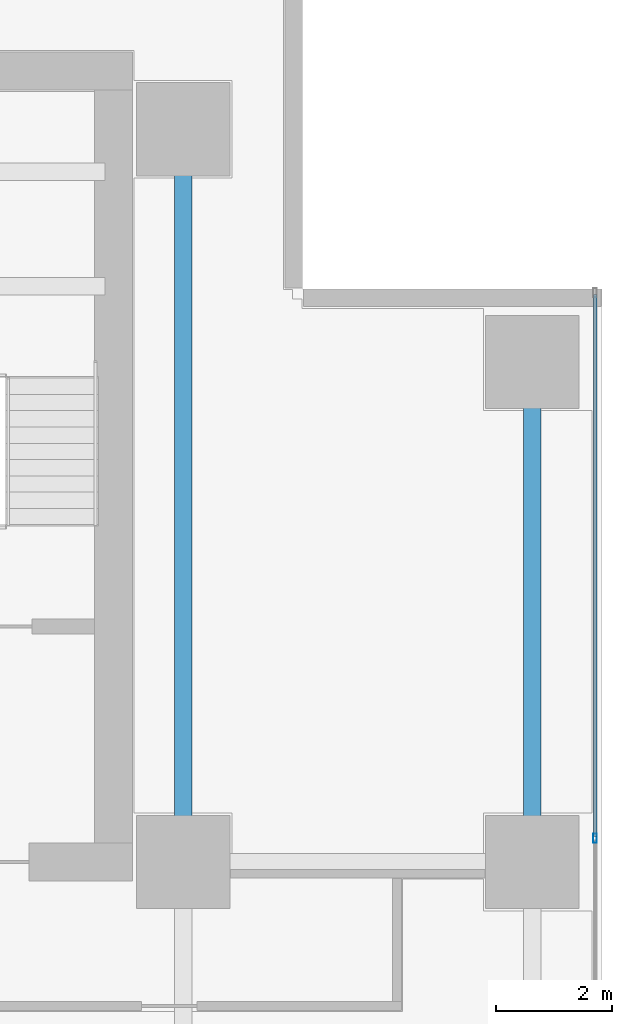
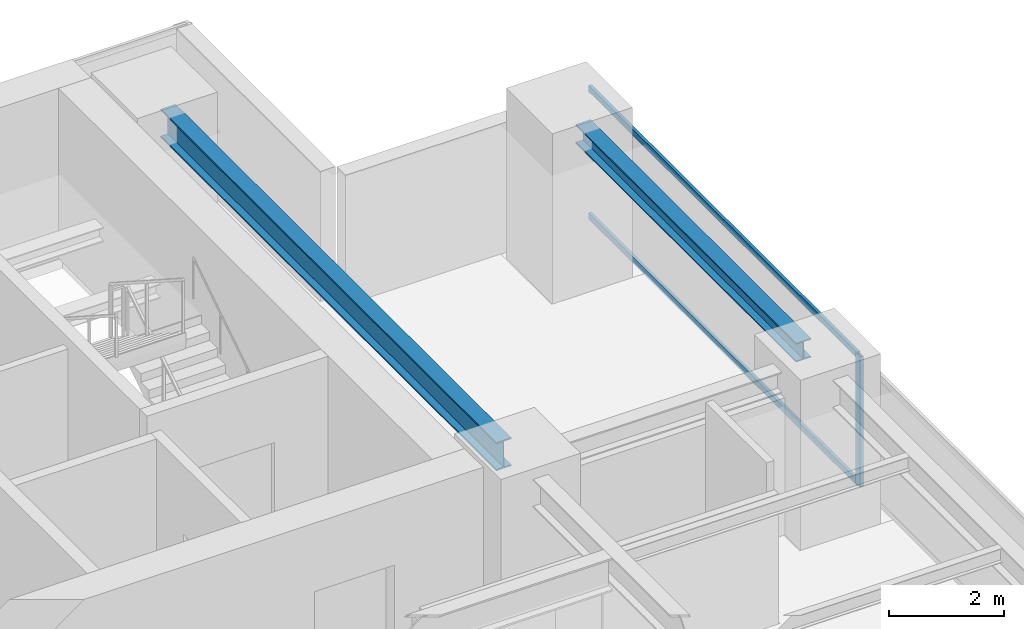
# One storey, part 18 of 28: 3 members, 2 beams, 1 element without a shape of its own.
"""IFC4 building model written with IfcOpenShell, lengths in metres."""

from ifc_helpers import new_model, si_unit, direction, frame, origin, origin_2d, place, context, subcontext, project, spatial, hollow_rectangle, i_section, extrude, source, transform, mapped, material, layer, layer_set, material_profile, profile_set, type_object, element, aggregate, save


model = new_model("IFC4")

# Units and contexts
model_context = context("Model", 3, precision=1e-05, world=origin(), true_north=direction((0.0, 1.0)))
body_context = subcontext(model_context, "Body", "Model", "MODEL_VIEW")
ifc_project = project(units=[si_unit("LENGTHUNIT", "METRE"), si_unit("AREAUNIT", "SQUARE_METRE"), si_unit("VOLUMEUNIT", "CUBIC_METRE"), si_unit("PLANEANGLEUNIT", "RADIAN"), si_unit("MASSUNIT", "GRAM", prefix="KILO")], contexts=[model_context])

# Site, building, storey
site_placement = place(None, origin())
site = spatial("IfcSite", under=ifc_project, at=site_placement, CompositionType="ELEMENT")
building_placement = place(site_placement, origin())
building = spatial("IfcBuilding", under=site, at=building_placement, Name="Sumidabori Civic Tower", CompositionType="ELEMENT")
storey_placement = place(building_placement, frame((0.0, 0.0, 149.60009765625)))
storey = spatial("IfcBuildingStorey", under=building, at=storey_placement, Name="L38", CompositionType="ELEMENT", Elevation=149.60009765625)

# Beams
ifc_material_1 = material(Name="Steel SN490", Category="steel")
ifc_material_profile_1 = material_profile(ifc_material_1, i_section(OverallWidth=0.300048828125, OverallDepth=0.39990234375, WebThickness=0.013427734375, FlangeThickness=0.02392578125, at=origin_2d()), Name="HE 400 B")
ifc_profile_set_1 = profile_set([ifc_material_profile_1], Name="Steel SN490")
beam_type_1 = type_object("IfcBeamType", Name="BM-GIRD-400", PredefinedType="BEAM", material=ifc_profile_set_1)
shared_shape_1 = source(origin(), body_context, "Body", "SweptSolid", [
    extrude(i_section(OverallWidth=0.300048828125, OverallDepth=0.39990234375, WebThickness=0.013427734375, FlangeThickness=0.02392578125, at=origin_2d()), origin(), (0.0, 0.0, 1.0), 7.64013671875),
])
beam_1_placement = place(storey_placement, frame((22.800048828125, 10.679931640625, 3.179931640625), z_axis=(0.0, 1.0, 0.0), x_axis=(-1.0, 0.0, 0.0)))
element("IfcBeam", 1, at=beam_1_placement, inside=storey, type_object=beam_type_1, Name="Primary Girder L38 GY-38", PredefinedType="BEAM", context=body_context, shape_type="MappedRepresentation", body=[
    mapped(shared_shape_1, transform((0.0, 0.0, 0.0), x_axis=(1.0, 0.0, 0.0), y_axis=(0.0, 1.0, 0.0), z_axis=(0.0, 0.0, 1.0), scale=1.0)),
])
ifc_material_profile_2 = material_profile(ifc_material_1, i_section(OverallWidth=0.300048828125, OverallDepth=0.60009765625, WebThickness=0.015380859375, FlangeThickness=0.030029296875, at=origin_2d()), Name="HE 600 B")
ifc_profile_set_2 = profile_set([ifc_material_profile_2], Name="Steel SN490")
beam_type_2 = type_object("IfcBeamType", Name="BM-GIRD-600", PredefinedType="BEAM", material=ifc_profile_set_2)
shared_shape_2 = source(origin(), body_context, "Body", "SweptSolid", [
    extrude(i_section(OverallWidth=0.300048828125, OverallDepth=0.60009765625, WebThickness=0.015380859375, FlangeThickness=0.030029296875, at=origin_2d()), origin(), (0.0, 0.0, 1.0), 11.64013671875),
])
beam_2_placement = place(storey_placement, frame((16.800048828125, 10.679931640625, 3.079833984375), z_axis=(0.0, 1.0, 0.0), x_axis=(-1.0, 0.0, 0.0)))
element("IfcBeam", 2, at=beam_2_placement, inside=storey, type_object=beam_type_2, Name="Primary Girder L38 GY-35", PredefinedType="BEAM", context=body_context, shape_type="MappedRepresentation", body=[
    mapped(shared_shape_2, transform((0.0, 0.0, 0.0), x_axis=(1.0, 0.0, 0.0), y_axis=(0.0, 1.0, 0.0), z_axis=(0.0, 0.0, 1.0), scale=1.0)),
])

# Curtain wall, members
ifc_material_2 = material(Name="Anodised Bronze Aluminium AW-6063-T6", Category="aluminium")
ifc_layer = layer(ifc_material_2, 0.179931640625, Name="Anodised Bronze Aluminium AW-6063-T6")
ifc_layer_set = layer_set([ifc_layer], Name="Anodised Bronze Aluminium AW-6063-T6")
curtain_wall_type = type_object("IfcCurtainWallType", Name="CW-SYS-3", PredefinedType="NOTDEFINED", material=ifc_layer_set)
curtain_wall_placement = place(storey_placement, origin())
curtain_wall = element("IfcCurtainWall", 3, at=curtain_wall_placement, inside=storey, type_object=curtain_wall_type, Name="Curtain Wall CW:L38:R04", PredefinedType="NOTDEFINED")
ifc_material_profile_3 = material_profile(ifc_material_2, hollow_rectangle(XDim=0.06494140625, YDim=0.159912109375, WallThickness=0.0048828125, at=origin_2d()), Name="ALU MULLION 160x65")
ifc_profile_set_3 = profile_set([ifc_material_profile_3], Name="Anodised Bronze Aluminium AW-6063-T6")
member_type_1 = type_object("IfcMemberType", Name="CW-MUL-160", PredefinedType="MULLION", material=ifc_profile_set_3)
shared_shape_3 = source(origin(), body_context, "Body", "SweptSolid", [
    extrude(hollow_rectangle(XDim=0.06494140625, YDim=0.159912109375, WallThickness=0.0048828125, at=origin_2d()), origin(), (0.0, 0.0, 1.0), 2.760009765625),
])
member_1_placement = place(storey_placement, frame((23.8798828125, 10.610107421875, 0.0), z_axis=(0.0, 0.0, 1.0), x_axis=(-1.0, 0.0, 0.0)))
member_1 = element("IfcMember", 4, at=member_1_placement, type_object=member_type_1, Name="CW-3 mullion 4", PredefinedType="MULLION", context=body_context, shape_type="MappedRepresentation", body=[
    mapped(shared_shape_3, transform((0.0, 0.0, 0.0), x_axis=(1.0, 0.0, 0.0), y_axis=(0.0, 1.0, 0.0), z_axis=(0.0, 0.0, 1.0), scale=1.0)),
])
ifc_material_profile_4 = material_profile(ifc_material_2, hollow_rectangle(XDim=0.06005859375, YDim=0.1298828125, WallThickness=0.0048828125, at=origin_2d()), Name="ALU TRANSOM 130x60")
ifc_profile_set_4 = profile_set([ifc_material_profile_4], Name="Anodised Bronze Aluminium AW-6063-T6")
member_type_2 = type_object("IfcMemberType", Name="CW-TRN-130", PredefinedType="USERDEFINED", material=ifc_profile_set_4)
shared_shape_4 = source(origin(), body_context, "Body", "SweptSolid", [
    extrude(hollow_rectangle(XDim=0.06005859375, YDim=0.1298828125, WallThickness=0.0048828125, at=origin_2d()), origin(), (0.0, 0.0, 1.0), 9.3125),
])
member_2_placement = place(storey_placement, frame((23.8798828125, 10.642578125, 0.02978515625), z_axis=(0.0, 1.0, 0.0), x_axis=(-1.0, 0.0, 0.0)))
member_2 = element("IfcMember", 5, at=member_2_placement, type_object=member_type_2, Name="CW-3 transom 4.1", ObjectType="TRANSOM", PredefinedType="USERDEFINED", context=body_context, shape_type="MappedRepresentation", body=[
    mapped(shared_shape_4, transform((0.0, 0.0, 0.0), x_axis=(1.0, 0.0, 0.0), y_axis=(0.0, 1.0, 0.0), z_axis=(0.0, 0.0, 1.0), scale=1.0)),
])
member_3_placement = place(storey_placement, frame((23.8798828125, 10.642578125, 2.72998046875), z_axis=(0.0, 1.0, 0.0), x_axis=(-1.0, 0.0, 0.0)))
member_3 = element("IfcMember", 6, at=member_3_placement, type_object=member_type_2, Name="CW-3 transom 4.2", ObjectType="TRANSOM", PredefinedType="USERDEFINED", context=body_context, shape_type="MappedRepresentation", body=[
    mapped(shared_shape_4, transform((0.0, 0.0, 0.0), x_axis=(1.0, 0.0, 0.0), y_axis=(0.0, 1.0, 0.0), z_axis=(0.0, 0.0, 1.0), scale=1.0)),
])
aggregate(curtain_wall, [member_1, member_2, member_3])

save(model, "model.ifc")
